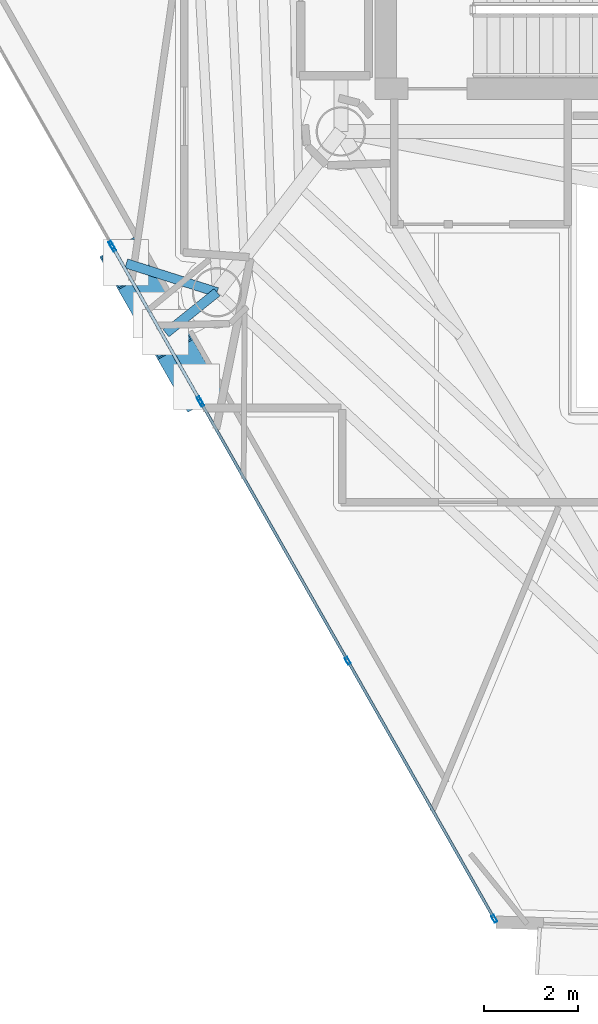
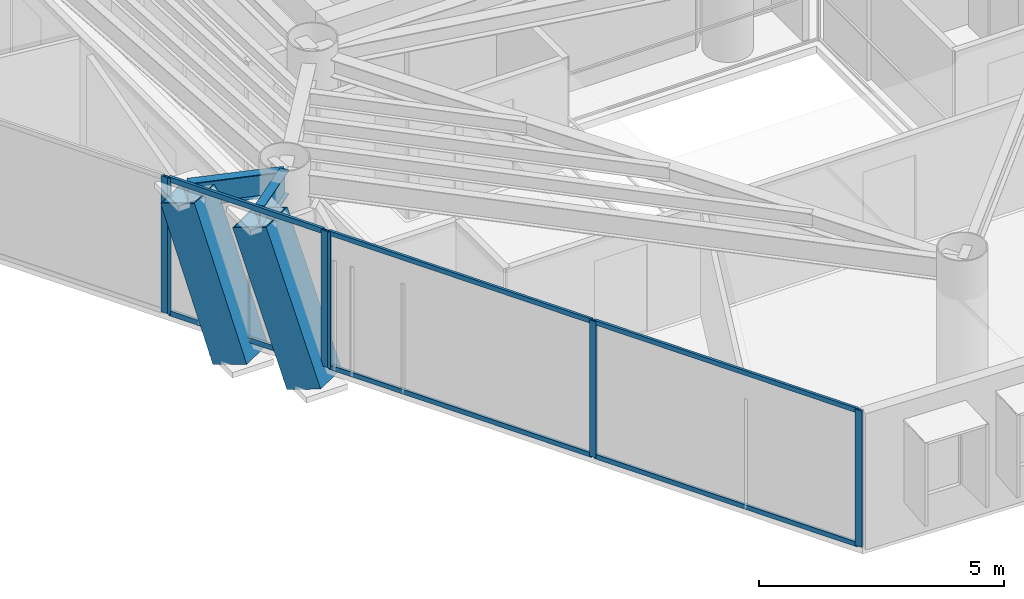
# One storey, part 2 of 21: 14 members, 2 beams, 3 elements without a shape of their own.
"""IFC4 building model written with IfcOpenShell, lengths in metres."""

from ifc_helpers import new_model, si_unit, direction, frame, origin, origin_2d, place, context, subcontext, project, spatial, hollow_rectangle, i_section, extrude, material, layer, layer_set, material_profile, profile_set, type_object, element, aggregate, save


model = new_model("IFC4")

# Units and contexts
model_context = context("Model", 3, precision=1e-05, world=origin(), true_north=direction((0.0, 1.0)))
body_context = subcontext(model_context, "Body", "Model", "MODEL_VIEW")
ifc_project = project(units=[si_unit("LENGTHUNIT", "METRE"), si_unit("AREAUNIT", "SQUARE_METRE"), si_unit("VOLUMEUNIT", "CUBIC_METRE"), si_unit("PLANEANGLEUNIT", "RADIAN"), si_unit("MASSUNIT", "GRAM", prefix="KILO")], contexts=[model_context])

# Site, building, storey
site_placement = place(None, origin())
site = spatial("IfcSite", under=ifc_project, at=site_placement, CompositionType="ELEMENT")
building_placement = place(site_placement, origin())
building = spatial("IfcBuilding", under=site, at=building_placement, Name="Qianvela Tower", CompositionType="ELEMENT")
storey_placement = place(building_placement, frame((0.0, 0.0, 272.300048828125)))
storey = spatial("IfcBuildingStorey", under=building, at=storey_placement, Name="L70", CompositionType="ELEMENT", Elevation=272.300048828125)

# Beams
ifc_material_1 = material(Name="Steel Q355B", Category="steel")
ifc_material_profile_1 = material_profile(ifc_material_1, i_section(OverallWidth=0.199951171875, OverallDepth=0.60009765625, WebThickness=0.010986328125, FlangeThickness=0.01708984375, at=origin_2d()), Name="HN600x200x11x17")
ifc_profile_set_1 = profile_set([ifc_material_profile_1], Name="Steel Q355B")
beam_type = type_object("IfcBeamType", Name="BM-HN600-GIRD", PredefinedType="BEAM", material=ifc_profile_set_1)
beam_1_placement = place(storey_placement, frame((25.971923828125, 20.43701171875, 3.097900390625), z_axis=(-0.95296863735, 0.303068929828, 0.0), x_axis=(-0.303068929828, -0.95296863735, 0.0)))
element("IfcBeam", 1, at=beam_1_placement, inside=storey, type_object=beam_type, Name="L70 Mega-Brace Column Tie Bracket F2-1", PredefinedType="BEAM", context=body_context, shape_type="SweptSolid", body=[
    extrude(i_section(OverallWidth=0.199951171875, OverallDepth=0.60009765625, WebThickness=0.010986328125, FlangeThickness=0.01708984375, at=origin_2d()), origin(), (0.0, 0.0, 1.0), 2.01953125),
])
beam_2_placement = place(storey_placement, frame((25.971923828125, 20.43701171875, 3.097900390625), z_axis=(-0.78021662455, -0.625509407424, 0.0), x_axis=(0.625509407424, -0.78021662455, 0.0)))
element("IfcBeam", 2, at=beam_2_placement, inside=storey, type_object=beam_type, Name="L70 Mega-Brace Column Tie Bracket F2-2", PredefinedType="BEAM", context=body_context, shape_type="SweptSolid", body=[
    extrude(i_section(OverallWidth=0.199951171875, OverallDepth=0.60009765625, WebThickness=0.010986328125, FlangeThickness=0.01708984375, at=origin_2d()), origin(), (0.0, 0.0, 1.0), 1.388671875),
])

# Curtain wall, members
ifc_material_2 = material(Name="Anodised Architectural Aluminium and Insulated Spandrel Panel", Category="aluminium")
ifc_layer_1 = layer(ifc_material_2, 0.179931640625)
ifc_layer_set_1 = layer_set([ifc_layer_1], Name="Anodised Architectural Aluminium and Insulated Spandrel Panel")
curtain_wall_type_1 = type_object("IfcCurtainWallType", Name="CW-BRACEBAY", PredefinedType="USERDEFINED", material=ifc_layer_set_1)
curtain_wall_1_placement = place(storey_placement, origin())
curtain_wall_1 = element("IfcCurtainWall", 3, at=curtain_wall_1_placement, inside=storey, type_object=curtain_wall_type_1, Name="L70 CW-BRACEBAY Curtain Wall 04B", ObjectType="CURTAIN_WALL_SYSTEM", PredefinedType="USERDEFINED")
ifc_material_3 = material(Name="Anodised Architectural Aluminium 6063-T6", Category="aluminium")
ifc_material_profile_2 = material_profile(ifc_material_3, hollow_rectangle(XDim=0.06494140625, YDim=0.159912109375, WallThickness=0.0048828125, at=origin_2d()), Name="ALU-MULL-65x160")
ifc_profile_set_2 = profile_set([ifc_material_profile_2], Name="Anodised Architectural Aluminium 6063-T6")
member_type_1 = type_object("IfcMemberType", Name="CW-BRACEBAY-MULL", PredefinedType="MULLION", material=ifc_profile_set_2)
member_1_placement = place(storey_placement, frame((23.764892578125, 21.384033203125, 0.0), z_axis=(0.0, 0.0, 1.0), x_axis=(0.869489008669, 0.493952288995, 0.0)))
member_1 = element("IfcMember", 4, at=member_1_placement, type_object=member_type_1, Name="CW-9 mullion 1", PredefinedType="MULLION", context=body_context, shape_type="SweptSolid", body=[
    extrude(hollow_rectangle(XDim=0.06494140625, YDim=0.159912109375, WallThickness=0.0048828125, at=origin_2d()), origin(), (0.0, 0.0, 1.0), 3.39990234375),
])
member_2_placement = place(storey_placement, frame((25.604736328125, 18.145263671875, 0.0), z_axis=(0.0, 0.0, 1.0), x_axis=(0.869489008669, 0.493952288995, 0.0)))
member_2 = element("IfcMember", 5, at=member_2_placement, type_object=member_type_1, Name="CW-9 mullion 2", PredefinedType="MULLION", context=body_context, shape_type="SweptSolid", body=[
    extrude(hollow_rectangle(XDim=0.06494140625, YDim=0.159912109375, WallThickness=0.0048828125, at=origin_2d()), origin(), (0.0, 0.0, 1.0), 3.39990234375),
])
ifc_material_4 = material(Name="Anodised Architectural Aluminium 6063-T6", Category="aluminium")
ifc_material_profile_3 = material_profile(ifc_material_4, hollow_rectangle(XDim=0.06494140625, YDim=0.1298828125, WallThickness=0.00439453125, at=origin_2d()), Name="ALU-TRAN-65x130")
ifc_profile_set_3 = profile_set([ifc_material_profile_3], Name="Anodised Architectural Aluminium 6063-T6")
member_type_2 = type_object("IfcMemberType", Name="CW-BRACEBAY-TRAN", PredefinedType="USERDEFINED", material=ifc_profile_set_3)
member_3_placement = place(storey_placement, frame((23.781005859375, 21.35595703125, 0.032470703125), z_axis=(0.493946374393, -0.869492368698, 0.0), x_axis=(0.869492368698, 0.493946374393, 0.0)))
member_3 = element("IfcMember", 6, at=member_3_placement, type_object=member_type_2, Name="CW-9 transom 1.1", ObjectType="TRANSOM", PredefinedType="USERDEFINED", context=body_context, shape_type="SweptSolid", body=[
    extrude(hollow_rectangle(XDim=0.06494140625, YDim=0.1298828125, WallThickness=0.00439453125, at=origin_2d()), origin(), (0.0, 0.0, 1.0), 3.66015625),
])
member_4_placement = place(storey_placement, frame((23.781005859375, 21.35595703125, 3.367431640625), z_axis=(0.493946374393, -0.869492368698, 0.0), x_axis=(0.869492368698, 0.493946374393, 0.0)))
member_4 = element("IfcMember", 7, at=member_4_placement, type_object=member_type_2, Name="CW-9 transom 1.2", ObjectType="TRANSOM", PredefinedType="USERDEFINED", context=body_context, shape_type="SweptSolid", body=[
    extrude(hollow_rectangle(XDim=0.06494140625, YDim=0.1298828125, WallThickness=0.00439453125, at=origin_2d()), origin(), (0.0, 0.0, 1.0), 3.66015625),
])
aggregate(curtain_wall_1, [member_1, member_2, member_3, member_4])

# Curtain wall, member
ifc_material_5 = material(Name="Anodised Architectural Aluminium and Low-E Glass", Category="aluminium")
ifc_layer_2 = layer(ifc_material_5, 0.159912109375)
ifc_layer_set_2 = layer_set([ifc_layer_2], Name="Anodised Architectural Aluminium and Low-E Glass")
curtain_wall_type_2 = type_object("IfcCurtainWallType", Name="CW-COLIV-Z56", PredefinedType="USERDEFINED", material=ifc_layer_set_2)
curtain_wall_2_placement = place(storey_placement, origin())
curtain_wall_2 = element("IfcCurtainWall", 8, at=curtain_wall_2_placement, inside=storey, type_object=curtain_wall_type_2, Name="L70 CW-COLIV-Z56 Curtain Wall 04A", ObjectType="CURTAIN_WALL_SYSTEM", PredefinedType="USERDEFINED")
ifc_material_6 = material(Name="Anodised Architectural Aluminium 6063-T6", Category="aluminium")
ifc_material_profile_4 = material_profile(ifc_material_6, hollow_rectangle(XDim=0.06494140625, YDim=0.159912109375, WallThickness=0.0048828125, at=origin_2d()), Name="ALU-MULL-65x160")
ifc_profile_set_4 = profile_set([ifc_material_profile_4], Name="Anodised Architectural Aluminium 6063-T6")
member_type_3 = type_object("IfcMemberType", Name="CW-COLIV-Z56-MULL", PredefinedType="MULLION", material=ifc_profile_set_4)
member_5_placement = place(storey_placement, frame((23.732666015625, 21.440673828125, 0.0), z_axis=(0.0, 0.0, 1.0), x_axis=(0.869495548029, 0.493940777784, 0.0)))
member_5 = element("IfcMember", 9, at=member_5_placement, type_object=member_type_3, Name="CW-5 mullion 2", PredefinedType="MULLION", context=body_context, shape_type="SweptSolid", body=[
    extrude(hollow_rectangle(XDim=0.06494140625, YDim=0.159912109375, WallThickness=0.0048828125, at=origin_2d()), origin(), (0.0, 0.0, 1.0), 3.39990234375),
])
aggregate(curtain_wall_2, [member_5])

# Curtain wall, members
curtain_wall_3_placement = place(storey_placement, origin())
curtain_wall_3 = element("IfcCurtainWall", 10, at=curtain_wall_3_placement, inside=storey, type_object=curtain_wall_type_2, Name="L70 CW-COLIV-Z56 Curtain Wall 04C", ObjectType="CURTAIN_WALL_SYSTEM", PredefinedType="USERDEFINED")
member_6_placement = place(storey_placement, frame((25.636962890625, 18.088623046875, 0.0), z_axis=(0.0, 0.0, 1.0), x_axis=(0.869493344917, 0.493944655954, 0.0)))
member_6 = element("IfcMember", 11, at=member_6_placement, type_object=member_type_3, Name="CW-5 mullion 1", PredefinedType="MULLION", context=body_context, shape_type="SweptSolid", body=[
    extrude(hollow_rectangle(XDim=0.06494140625, YDim=0.159912109375, WallThickness=0.0048828125, at=origin_2d()), origin(), (0.0, 0.0, 1.0), 3.39990234375),
])
member_7_placement = place(storey_placement, frame((28.746826171875, 12.614501953125, 0.0), z_axis=(0.0, 0.0, 1.0), x_axis=(0.869493344917, 0.493944655954, 0.0)))
member_7 = element("IfcMember", 12, at=member_7_placement, type_object=member_type_3, Name="CW-5 mullion 2", PredefinedType="MULLION", context=body_context, shape_type="SweptSolid", body=[
    extrude(hollow_rectangle(XDim=0.06494140625, YDim=0.159912109375, WallThickness=0.0048828125, at=origin_2d()), origin(), (0.0, 0.0, 1.0), 3.39990234375),
])
member_8_placement = place(storey_placement, frame((31.8564453125, 7.140380859375, 0.0), z_axis=(0.0, 0.0, 1.0), x_axis=(0.869493344917, 0.493944655954, 0.0)))
member_8 = element("IfcMember", 13, at=member_8_placement, type_object=member_type_3, Name="CW-5 mullion 3", PredefinedType="MULLION", context=body_context, shape_type="SweptSolid", body=[
    extrude(hollow_rectangle(XDim=0.06494140625, YDim=0.159912109375, WallThickness=0.0048828125, at=origin_2d()), origin(), (0.0, 0.0, 1.0), 3.39990234375),
])
ifc_material_7 = material(Name="Anodised Architectural Aluminium 6063-T6", Category="aluminium")
ifc_material_profile_5 = material_profile(ifc_material_7, hollow_rectangle(XDim=0.06005859375, YDim=0.114990234375, WallThickness=0.00390625, at=origin_2d()), Name="ALU-TRAN-60x115")
ifc_profile_set_5 = profile_set([ifc_material_profile_5], Name="Anodised Architectural Aluminium 6063-T6")
member_type_4 = type_object("IfcMemberType", Name="CW-COLIV-Z56-TRAN", PredefinedType="USERDEFINED", material=ifc_profile_set_5)
member_9_placement = place(storey_placement, frame((25.653076171875, 18.060546875, 0.030029296875), z_axis=(0.493934682098, -0.869499010822, 0.0), x_axis=(0.869499010822, 0.493934682098, 0.0)))
member_9 = element("IfcMember", 14, at=member_9_placement, type_object=member_type_4, Name="CW-5 transom 1.1", ObjectType="TRANSOM", PredefinedType="USERDEFINED", context=body_context, shape_type="SweptSolid", body=[
    extrude(hollow_rectangle(XDim=0.06005859375, YDim=0.114990234375, WallThickness=0.00390625, at=origin_2d()), origin(), (0.0, 0.0, 1.0), 6.23095703125),
])
member_10_placement = place(storey_placement, frame((25.653076171875, 18.060546875, 3.369873046875), z_axis=(0.493934682098, -0.869499010822, 0.0), x_axis=(0.869499010822, 0.493934682098, 0.0)))
member_10 = element("IfcMember", 15, at=member_10_placement, type_object=member_type_4, Name="CW-5 transom 1.2", ObjectType="TRANSOM", PredefinedType="USERDEFINED", context=body_context, shape_type="SweptSolid", body=[
    extrude(hollow_rectangle(XDim=0.06005859375, YDim=0.114990234375, WallThickness=0.00390625, at=origin_2d()), origin(), (0.0, 0.0, 1.0), 6.23095703125),
])
member_11_placement = place(storey_placement, frame((28.7626953125, 12.586181640625, 0.030029296875), z_axis=(0.493981133105, -0.869472621844, 0.0), x_axis=(0.869472621844, 0.493981133105, 0.0)))
member_11 = element("IfcMember", 16, at=member_11_placement, type_object=member_type_4, Name="CW-5 transom 2.1", ObjectType="TRANSOM", PredefinedType="USERDEFINED", context=body_context, shape_type="SweptSolid", body=[
    extrude(hollow_rectangle(XDim=0.06005859375, YDim=0.114990234375, WallThickness=0.00390625, at=origin_2d()), origin(), (0.0, 0.0, 1.0), 6.230712890625),
])
member_12_placement = place(storey_placement, frame((28.7626953125, 12.586181640625, 3.369873046875), z_axis=(0.493981133105, -0.869472621844, 0.0), x_axis=(0.869472621844, 0.493981133105, 0.0)))
member_12 = element("IfcMember", 17, at=member_12_placement, type_object=member_type_4, Name="CW-5 transom 2.2", ObjectType="TRANSOM", PredefinedType="USERDEFINED", context=body_context, shape_type="SweptSolid", body=[
    extrude(hollow_rectangle(XDim=0.06005859375, YDim=0.114990234375, WallThickness=0.00390625, at=origin_2d()), origin(), (0.0, 0.0, 1.0), 6.230712890625),
])
aggregate(curtain_wall_3, [member_6, member_7, member_8, member_9, member_10, member_11, member_12])

# Members
ifc_material_8 = material(Name="Steel Q420GJC", Category="steel")
ifc_material_profile_6 = material_profile(ifc_material_8, hollow_rectangle(XDim=0.85009765625, YDim=0.85009765625, WallThickness=0.031982421875, at=origin_2d()), Name="MBOX-850x850x32")
ifc_profile_set_6 = profile_set([ifc_material_profile_6], Name="Steel Q420GJC")
member_type_5 = type_object("IfcMemberType", Name="MBR-MBRACE-850", PredefinedType="BRACE", material=ifc_profile_set_6)
member_13_placement = place(storey_placement, frame((24.659423828125, 19.9716796875, -0.48193359375), z_axis=(-0.161569466973, 0.28440608606, 0.944991262157), x_axis=(-0.869489252619, -0.493951859578, 0.0)))
element("IfcMember", 18, at=member_13_placement, inside=storey, type_object=member_type_5, Name="L70 Tier 11 Exterior Mega-Brace F2A", PredefinedType="BRACE", context=body_context, shape_type="SweptSolid", body=[
    extrude(hollow_rectangle(XDim=0.85009765625, YDim=0.85009765625, WallThickness=0.031982421875, at=origin_2d()), origin(), (0.0, 0.0, 1.0), 3.788330078125),
])
member_14_placement = place(storey_placement, frame((25.52490234375, 18.447998046875, -0.48193359375), z_axis=(-0.167287690104, 0.29446996927, 0.94090502493), x_axis=(-0.869487998698, -0.493954066813, 0.0)))
element("IfcMember", 19, at=member_14_placement, inside=storey, type_object=member_type_5, Name="L70 Tier 11 Exterior Mega-Brace F2B", PredefinedType="BRACE", context=body_context, shape_type="SweptSolid", body=[
    extrude(hollow_rectangle(XDim=0.85009765625, YDim=0.85009765625, WallThickness=0.031982421875, at=origin_2d()), origin(), (0.0, 0.0, 1.0), 3.8046875),
])

save(model, "model.ifc")
